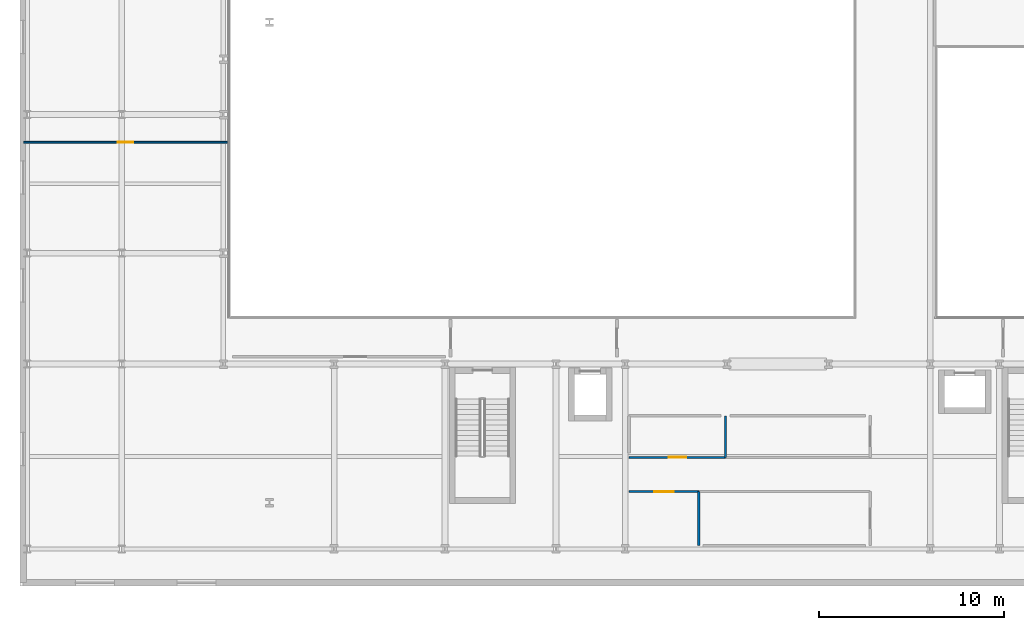
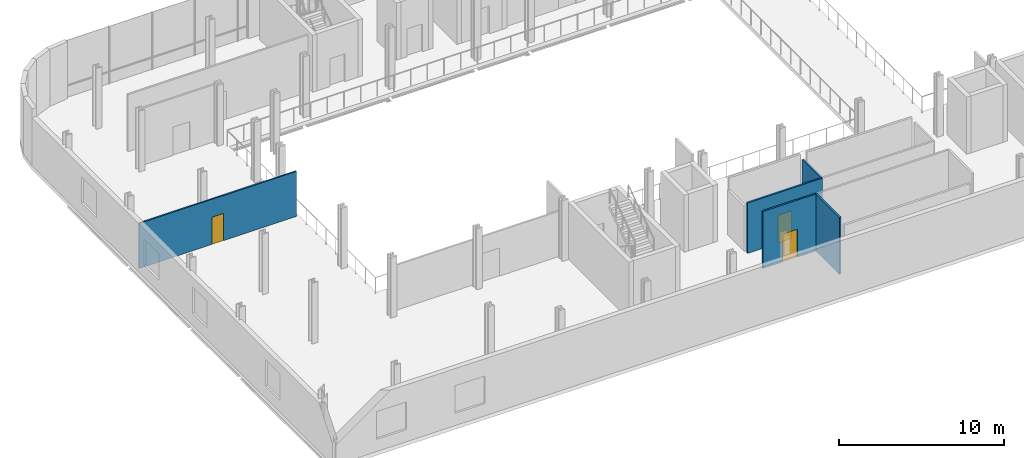
# One storey, part 16 of 25: 5 walls, 3 doors, 3 openings.
"""IFC4 building model written with IfcOpenShell, lengths in metres."""

from ifc_helpers import new_model, si_unit, direction, frame, frame_2d, origin, place, context, subcontext, project, spatial, rectangle, extrude, material, layer, layer_set, type_object, element, fill, save


model = new_model("IFC4")

# Units and contexts
model_context = context("Model", 3, precision=1e-05, world=origin(), true_north=direction((0.0, 1.0)))
body_context = subcontext(model_context, "Body", "Model", "MODEL_VIEW")
ifc_project = project(units=[si_unit("LENGTHUNIT", "METRE"), si_unit("AREAUNIT", "SQUARE_METRE"), si_unit("VOLUMEUNIT", "CUBIC_METRE"), si_unit("PLANEANGLEUNIT", "RADIAN"), si_unit("MASSUNIT", "GRAM", prefix="KILO")], contexts=[model_context])

# Site, building, storey
site_placement = place(None, origin())
site = spatial("IfcSite", under=ifc_project, at=site_placement, CompositionType="ELEMENT")
building_placement = place(site_placement, origin())
building = spatial("IfcBuilding", under=site, at=building_placement, Name="Brevholm Reach", CompositionType="ELEMENT")
storey_placement = place(building_placement, frame((0.0, 0.0, 9.0)))
storey = spatial("IfcBuildingStorey", under=building, at=storey_placement, Name="L02", CompositionType="ELEMENT", Elevation=9.0)

# Wall, opening, door
ifc_material_1 = material(Name="Moisture-Resistant Acoustic Gypsum Stud Partition 100 mm", Category="gypsum")
ifc_layer_1 = layer(ifc_material_1, 0.10009765625)
ifc_layer_set_1 = layer_set([ifc_layer_1], Name="Moisture-Resistant Acoustic Gypsum Stud Partition 100 mm")
wall_type_1 = type_object("IfcWallType", Name="WAL-PRT-100", PredefinedType="PARTITIONING", material=ifc_layer_set_1)
wall_1_placement = place(storey_placement, frame((-10.800048828125, 22.0, 0.0), z_axis=(0.0, 0.0, 1.0), x_axis=(1.0, 0.0, 0.0)))
wall_1 = element("IfcWall", 1, at=wall_1_placement, inside=storey, type_object=wall_type_1, Name="L02 Internal Partition 034", PredefinedType="PARTITIONING", context=body_context, shape_type="SweptSolid", body=[
    extrude(rectangle(XDim=11.02001953125, YDim=0.10009765625, at=frame_2d((5.510009765625, 0.0))), origin(), (0.0, 0.0, 1.0), 3.343994140625),
])
opening_1_placement = place(wall_1_placement, frame((5.10009765625, 0.0, 0.0)))
opening_1 = element("IfcOpeningElement", 2, at=opening_1_placement, cuts=wall_1, Name="Opening ID-03", PredefinedType="OPENING", context=body_context, shape_type="SweptSolid", body=[
    extrude(rectangle(XDim=0.820068359375, YDim=2.02001953125, at=frame_2d((0.41015625, 1.010009765625))), frame((0.0, 0.06005859375, 0.0), z_axis=(0.0, -1.0, 0.0), x_axis=(1.0, 0.0, 0.0)), (0.0, 0.0, 1.0), 0.1201171875),
])
ifc_material_2 = material(Name="Moisture-Resistant Painted Timber Internal Bathroom Door", Category="wood")
door_type_1 = type_object("IfcDoorType", Name="DOR-BATH-820", OperationType="NOTDEFINED", PredefinedType="DOOR", material=ifc_material_2)
door_1_placement = place(opening_1_placement, origin())
door_1 = element("IfcDoor", 3, at=door_1_placement, inside=storey, type_object=door_type_1, Name="L02 Access Door 024", OperationType="SINGLE_SWING_RIGHT", OverallHeight=2.02001953125, OverallWidth=0.820068359375, PredefinedType="DOOR", context=body_context, shape_type="SweptSolid", body=[
    extrude(rectangle(XDim=0.820068359375, YDim=2.02001953125, at=frame_2d((0.41015625, 1.010009765625))), frame((0.0, 0.02490234375, 0.0), z_axis=(0.0, -1.0, 0.0), x_axis=(1.0, 0.0, 0.0)), (0.0, 0.0, 1.0), 0.050048828125),
])
fill(opening_1, door_1)

ifc_material_3 = material(Name="Acoustic Fire-Rated Classroom Gypsum Partition 120 mm", Category="gypsum")
ifc_layer_2 = layer(ifc_material_3, 0.1201171875)
ifc_layer_set_2 = layer_set([ifc_layer_2], Name="Acoustic Fire-Rated Classroom Gypsum Partition 120 mm")
wall_type_2 = type_object("IfcWallType", Name="WAL-PRT-120", PredefinedType="PARTITIONING", material=ifc_layer_set_2)
wall_2_placement = place(storey_placement, frame((21.949951171875, 3.10009765625, 0.0), z_axis=(0.0, 0.0, 1.0), x_axis=(1.0, 0.0, 0.0)))
wall_2 = element("IfcWall", 4, at=wall_2_placement, inside=storey, type_object=wall_type_2, Name="L02 Internal Partition 003", PredefinedType="PARTITIONING", context=body_context, shape_type="SweptSolid", body=[
    extrude(rectangle(XDim=3.78125, YDim=0.1201171875, at=frame_2d((1.890625, 0.0))), origin(), (0.0, 0.0, 1.0), 4.219970703125),
])
opening_2_placement = place(wall_2_placement, frame((1.36572265625, 0.0, 0.0)))
opening_2 = element("IfcOpeningElement", 5, at=opening_2_placement, cuts=wall_2, Name="Opening FD-01", PredefinedType="OPENING", context=body_context, shape_type="SweptSolid", body=[
    extrude(rectangle(XDim=1.050048828125, YDim=2.06005859375, at=frame_2d((0.52490234375, 1.030029296875))), frame((0.0, 0.070068359375, 0.0), z_axis=(0.0, -1.0, 0.0), x_axis=(1.0, 0.0, 0.0)), (0.0, 0.0, 1.0), 0.14013671875),
])
ifc_material_4 = material(Name="Hardwood-Lipped Steel-Core Fire and Smoke Door", Category="steel")
door_type_2 = type_object("IfcDoorType", Name="DOR-INT-FD60S", OperationType="NOTDEFINED", PredefinedType="DOOR", material=ifc_material_4)
door_2_placement = place(opening_2_placement, origin())
door_2 = element("IfcDoor", 6, at=door_2_placement, inside=storey, type_object=door_type_2, Name="L02 Internal Door 003", OperationType="SINGLE_SWING_LEFT", OverallHeight=2.06005859375, OverallWidth=1.050048828125, PredefinedType="DOOR", context=body_context, shape_type="SweptSolid", body=[
    extrude(rectangle(XDim=1.050048828125, YDim=2.06005859375, at=frame_2d((0.52490234375, 1.030029296875))), frame((0.0, 0.02490234375, 0.0), z_axis=(0.0, -1.0, 0.0), x_axis=(1.0, 0.0, 0.0)), (0.0, 0.0, 1.0), 0.050048828125),
])
fill(opening_2, door_2)

wall_3_placement = place(storey_placement, frame((21.949951171875, 4.949951171875, 0.0), z_axis=(0.0, 0.0, 1.0), x_axis=(1.0, 0.0, 0.0)))
wall_3 = element("IfcWall", 7, at=wall_3_placement, inside=storey, type_object=wall_type_2, Name="L02 Internal Partition 005", PredefinedType="PARTITIONING", context=body_context, shape_type="SweptSolid", body=[
    extrude(rectangle(XDim=5.2314453125, YDim=0.1201171875, at=frame_2d((2.61572265625, 0.0))), origin(), (0.0, 0.0, 1.0), 3.738037109375),
])
opening_3_placement = place(wall_3_placement, frame((2.140625, 0.0, 0.0)))
opening_3 = element("IfcOpeningElement", 8, at=opening_3_placement, cuts=wall_3, Name="Opening ID-30", PredefinedType="OPENING", context=body_context, shape_type="SweptSolid", body=[
    extrude(rectangle(XDim=0.949951171875, YDim=2.050048828125, at=frame_2d((0.47509765625, 1.02490234375))), frame((0.0, 0.070068359375, 0.0), z_axis=(0.0, -1.0, 0.0), x_axis=(1.0, 0.0, 0.0)), (0.0, 0.0, 1.0), 0.14013671875),
])
ifc_material_5 = material(Name="European Oak Veneered Solid-Core Fire Entrance Door", Category="timber")
door_type_3 = type_object("IfcDoorType", Name="DOR-FLT-FD30S", OperationType="NOTDEFINED", PredefinedType="DOOR", material=ifc_material_5)
door_3_placement = place(opening_3_placement, origin())
door_3 = element("IfcDoor", 9, at=door_3_placement, inside=storey, type_object=door_type_3, Name="L02 Internal Door 004", OperationType="SINGLE_SWING_RIGHT", OverallHeight=2.050048828125, OverallWidth=0.949951171875, PredefinedType="DOOR", context=body_context, shape_type="SweptSolid", body=[
    extrude(rectangle(XDim=0.949951171875, YDim=2.050048828125, at=frame_2d((0.47509765625, 1.02490234375))), frame((0.0, 0.02490234375, 0.0), z_axis=(0.0, -1.0, 0.0), x_axis=(1.0, 0.0, 0.0)), (0.0, 0.0, 1.0), 0.050048828125),
])
fill(opening_3, door_3)

# Walls
wall_4_placement = place(storey_placement, frame((25.719970703125, 0.179931640625, 0.0), z_axis=(0.0, 0.0, 1.0), x_axis=(0.0, 1.0, 0.0)))
element("IfcWall", 10, at=wall_4_placement, inside=storey, type_object=wall_type_2, Name="L02 Internal Partition 007", PredefinedType="PARTITIONING", context=body_context, shape_type="SweptSolid", body=[
    extrude(rectangle(XDim=2.916015625, YDim=0.1201171875, at=frame_2d((1.4580078125, 0.0))), origin(), (0.0, 0.0, 1.0), 4.219970703125),
])
wall_5_placement = place(storey_placement, frame((27.169921875, 4.9541015625, 0.0), z_axis=(0.0, 0.0, 1.0), x_axis=(0.0, 1.0, 0.0)))
element("IfcWall", 11, at=wall_5_placement, inside=storey, type_object=wall_type_2, Name="L02 Internal Partition 008", PredefinedType="PARTITIONING", context=body_context, shape_type="SweptSolid", body=[
    extrude(rectangle(XDim=2.245849609375, YDim=0.1201171875, at=frame_2d((1.123046875, 0.0))), origin(), (0.0, 0.0, 1.0), 3.738037109375),
])

save(model, "model.ifc")
